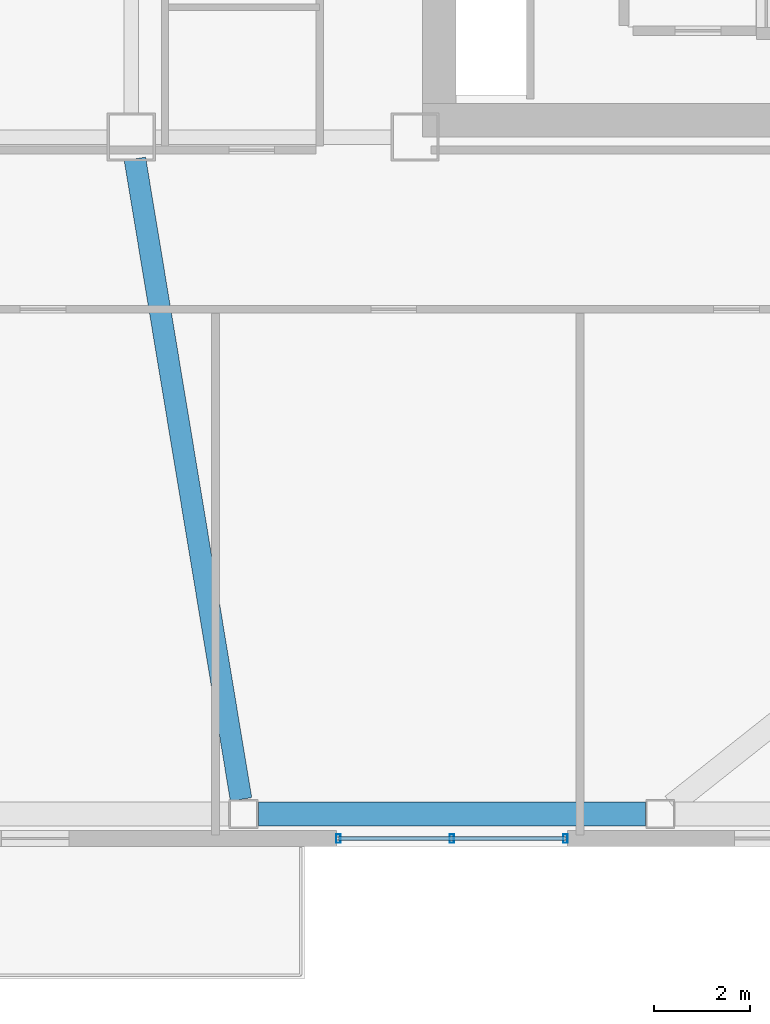
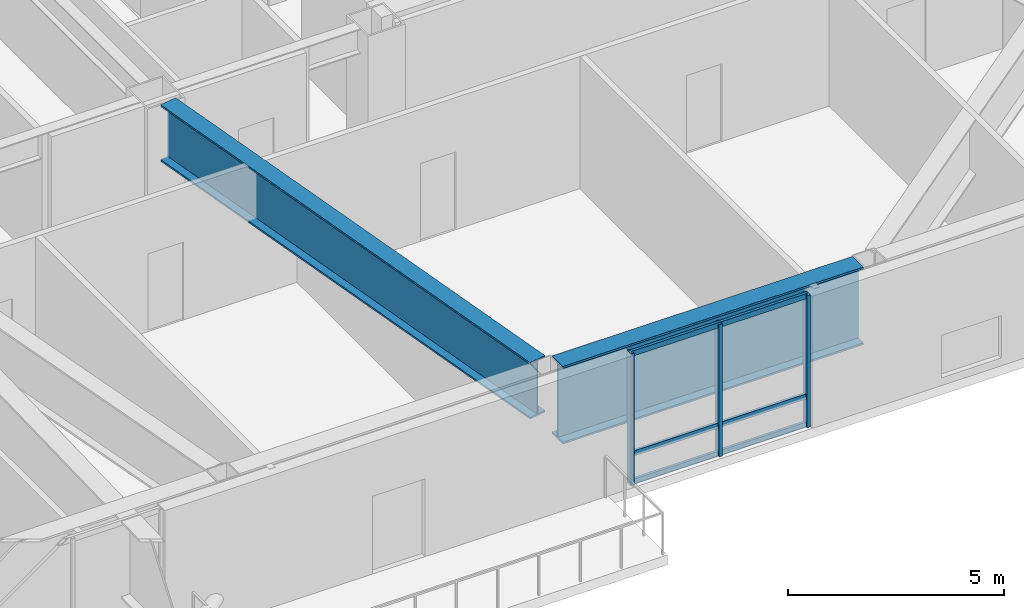
# One storey, part 4 of 18: 6 members, 2 beams, 1 element without a shape of its own.
"""IFC4 building model written with IfcOpenShell, lengths in metres."""

from ifc_helpers import new_model, si_unit, direction, frame, origin, origin_2d, place, context, subcontext, project, spatial, hollow_rectangle, i_section, extrude, material, layer, layer_set, material_profile, profile_set, type_object, element, aggregate, save


model = new_model("IFC4")

# Units and contexts
model_context = context("Model", 3, precision=1e-05, world=origin(), true_north=direction((0.0, 1.0)))
body_context = subcontext(model_context, "Body", "Model", "MODEL_VIEW")
ifc_project = project(units=[si_unit("LENGTHUNIT", "METRE"), si_unit("AREAUNIT", "SQUARE_METRE"), si_unit("VOLUMEUNIT", "CUBIC_METRE"), si_unit("PLANEANGLEUNIT", "RADIAN"), si_unit("MASSUNIT", "GRAM", prefix="KILO")], contexts=[model_context])

# Site, building, storey
site_placement = place(None, origin())
site = spatial("IfcSite", under=ifc_project, at=site_placement, CompositionType="ELEMENT")
building_placement = place(site_placement, origin())
building = spatial("IfcBuilding", under=site, at=building_placement, Name="Tavrogorsk Clinical Tower", CompositionType="ELEMENT")
storey_placement = place(building_placement, frame((0.0, 0.0, 152.199951171875)))
storey = spatial("IfcBuildingStorey", under=building, at=storey_placement, Name="L34", CompositionType="ELEMENT", Elevation=152.199951171875)

# Curtain wall, members
ifc_material_1 = material(Name="Anodised aluminium and triple IGU glazing", Category="aluminium")
ifc_layer = layer(ifc_material_1, 0.179931640625)
ifc_layer_set = layer_set([ifc_layer], Name="Anodised aluminium and triple IGU glazing")
curtain_wall_type = type_object("IfcCurtainWallType", Name="CW3_SouthSlot", PredefinedType="NOTDEFINED", material=ifc_layer_set)
curtain_wall_placement = place(storey_placement, origin())
curtain_wall = element("IfcCurtainWall", 1, at=curtain_wall_placement, inside=storey, type_object=curtain_wall_type, Name="L34 Curtain Wall CW-L34-S-SLOT-2", PredefinedType="NOTDEFINED")
ifc_material_2 = material(Name="Anodised aluminium alloy AW-6060", Category="aluminium")
ifc_material_profile_1 = material_profile(ifc_material_2, hollow_rectangle(XDim=0.090087890625, YDim=0.179931640625, WallThickness=0.00634765625, at=origin_2d()), Name="RHS-180x90x6.3")
ifc_profile_set_1 = profile_set([ifc_material_profile_1], Name="Anodised aluminium alloy AW-6060")
member_type_1 = type_object("IfcMemberType", Name="CwMullion_180x90", PredefinedType="MULLION", material=ifc_profile_set_1)
member_1_placement = place(storey_placement, frame((8.703857421875, -20.929931640625, 0.0), z_axis=(0.0, 0.0, 1.0), x_axis=(1.0, 0.0, 0.0)))
member_1 = element("IfcMember", 2, at=member_1_placement, type_object=member_type_1, Name="CW-L34-S-SLOT-2 Mullion 1", PredefinedType="MULLION", context=body_context, shape_type="SweptSolid", body=[
    extrude(hollow_rectangle(XDim=0.090087890625, YDim=0.179931640625, WallThickness=0.00634765625, at=origin_2d()), origin(), (0.0, 0.0, 1.0), 3.739990234375),
])
member_2_placement = place(storey_placement, frame((11.062744140625, -20.929931640625, 0.0), z_axis=(0.0, 0.0, 1.0), x_axis=(1.0, 0.0, 0.0)))
member_2 = element("IfcMember", 3, at=member_2_placement, type_object=member_type_1, Name="CW-L34-S-SLOT-2 Mullion 2", PredefinedType="MULLION", context=body_context, shape_type="SweptSolid", body=[
    extrude(hollow_rectangle(XDim=0.090087890625, YDim=0.179931640625, WallThickness=0.00634765625, at=origin_2d()), origin(), (0.0, 0.0, 1.0), 3.739990234375),
])
member_3_placement = place(storey_placement, frame((13.421875, -20.929931640625, 0.0), z_axis=(0.0, 0.0, 1.0), x_axis=(1.0, 0.0, 0.0)))
member_3 = element("IfcMember", 4, at=member_3_placement, type_object=member_type_1, Name="CW-L34-S-SLOT-2 Mullion 3", PredefinedType="MULLION", context=body_context, shape_type="SweptSolid", body=[
    extrude(hollow_rectangle(XDim=0.090087890625, YDim=0.179931640625, WallThickness=0.00634765625, at=origin_2d()), origin(), (0.0, 0.0, 1.0), 3.739990234375),
])
ifc_material_3 = material(Name="Anodised aluminium alloy AW-6060", Category="aluminium")
ifc_material_profile_2 = material_profile(ifc_material_3, hollow_rectangle(XDim=0.074951171875, YDim=0.14990234375, WallThickness=0.0048828125, at=origin_2d()), Name="RHS-150x75x5")
ifc_profile_set_2 = profile_set([ifc_material_profile_2], Name="Anodised aluminium alloy AW-6060")
member_type_2 = type_object("IfcMemberType", Name="CwTransom_150x75", PredefinedType="USERDEFINED", material=ifc_profile_set_2)
member_4_placement = place(storey_placement, frame((8.703857421875, -20.929931640625, 0.050048828125), z_axis=(1.0, 0.0, 0.0), x_axis=(0.0, 1.0, 0.0)))
member_4 = element("IfcMember", 5, at=member_4_placement, type_object=member_type_2, Name="CW-L34-S-SLOT-2 Transom 1", ObjectType="TRANSOM", PredefinedType="USERDEFINED", context=body_context, shape_type="SweptSolid", body=[
    extrude(hollow_rectangle(XDim=0.074951171875, YDim=0.14990234375, WallThickness=0.0048828125, at=origin_2d()), origin(), (0.0, 0.0, 1.0), 4.718017578125),
])
member_5_placement = place(storey_placement, frame((8.703857421875, -20.929931640625, 0.85009765625), z_axis=(1.0, 0.0, 0.0), x_axis=(0.0, 1.0, 0.0)))
member_5 = element("IfcMember", 6, at=member_5_placement, type_object=member_type_2, Name="CW-L34-S-SLOT-2 Transom 2", ObjectType="TRANSOM", PredefinedType="USERDEFINED", context=body_context, shape_type="SweptSolid", body=[
    extrude(hollow_rectangle(XDim=0.074951171875, YDim=0.14990234375, WallThickness=0.0048828125, at=origin_2d()), origin(), (0.0, 0.0, 1.0), 4.718017578125),
])
member_6_placement = place(storey_placement, frame((8.703857421875, -20.929931640625, 3.68994140625), z_axis=(1.0, 0.0, 0.0), x_axis=(0.0, 1.0, 0.0)))
member_6 = element("IfcMember", 7, at=member_6_placement, type_object=member_type_2, Name="CW-L34-S-SLOT-2 Transom 3", ObjectType="TRANSOM", PredefinedType="USERDEFINED", context=body_context, shape_type="SweptSolid", body=[
    extrude(hollow_rectangle(XDim=0.074951171875, YDim=0.14990234375, WallThickness=0.0048828125, at=origin_2d()), origin(), (0.0, 0.0, 1.0), 4.718017578125),
])
aggregate(curtain_wall, [member_1, member_2, member_3, member_4, member_5, member_6])

# Beams
ifc_material_4 = material(Name="Structural steel S440", Category="steel")
ifc_material_profile_3 = material_profile(ifc_material_4, i_section(OverallWidth=0.449951171875, OverallDepth=1.60009765625, WebThickness=0.031982421875, FlangeThickness=0.050048828125, at=origin_2d()), Name="DK-1600x450x32x50")
ifc_profile_set_3 = profile_set([ifc_material_profile_3], Name="Structural steel S440")
beam_type_1 = type_object("IfcBeamType", Name="TransferGirder_DK1600", PredefinedType="USERDEFINED", material=ifc_profile_set_3)
beam_1_placement = place(storey_placement, frame((4.47509765625, -6.8037109375, 2.93994140625), z_axis=(0.163483535462, -0.986546062601, 0.0), x_axis=(0.986546062601, 0.163483535462, 0.0)))
element("IfcBeam", 8, at=beam_1_placement, inside=storey, type_object=beam_type_1, Name="L34 Radial Floor Beam S5", ObjectType="GIRDER", PredefinedType="USERDEFINED", context=body_context, shape_type="SweptSolid", body=[
    extrude(i_section(OverallWidth=0.449951171875, OverallDepth=1.60009765625, WebThickness=0.031982421875, FlangeThickness=0.050048828125, at=origin_2d()), origin(), (0.0, 0.0, 1.0), 13.494140625),
])
ifc_material_5 = material(Name="Structural steel S440", Category="steel")
ifc_material_profile_4 = material_profile(ifc_material_5, i_section(OverallWidth=0.5, OverallDepth=2.199951171875, WebThickness=0.035888671875, FlangeThickness=0.054931640625, at=origin_2d()), Name="DK-2200x500x36x55")
ifc_profile_set_4 = profile_set([ifc_material_profile_4], Name="Structural steel S440")
beam_type_2 = type_object("IfcBeamType", Name="TransferGirder_DK2200", PredefinedType="USERDEFINED", material=ifc_profile_set_4)
beam_2_placement = place(storey_placement, frame((7.039306640625, -20.419921875, 2.64013671875), z_axis=(1.0, 0.0, 0.0), x_axis=(0.0, 1.0, 0.0)))
element("IfcBeam", 9, at=beam_2_placement, inside=storey, type_object=beam_type_2, Name="L34 Perimeter Spandrel S5-S6", ObjectType="GIRDER", PredefinedType="USERDEFINED", context=body_context, shape_type="SweptSolid", body=[
    extrude(i_section(OverallWidth=0.5, OverallDepth=2.199951171875, WebThickness=0.035888671875, FlangeThickness=0.054931640625, at=origin_2d()), origin(), (0.0, 0.0, 1.0), 8.046875),
])

save(model, "model.ifc")
